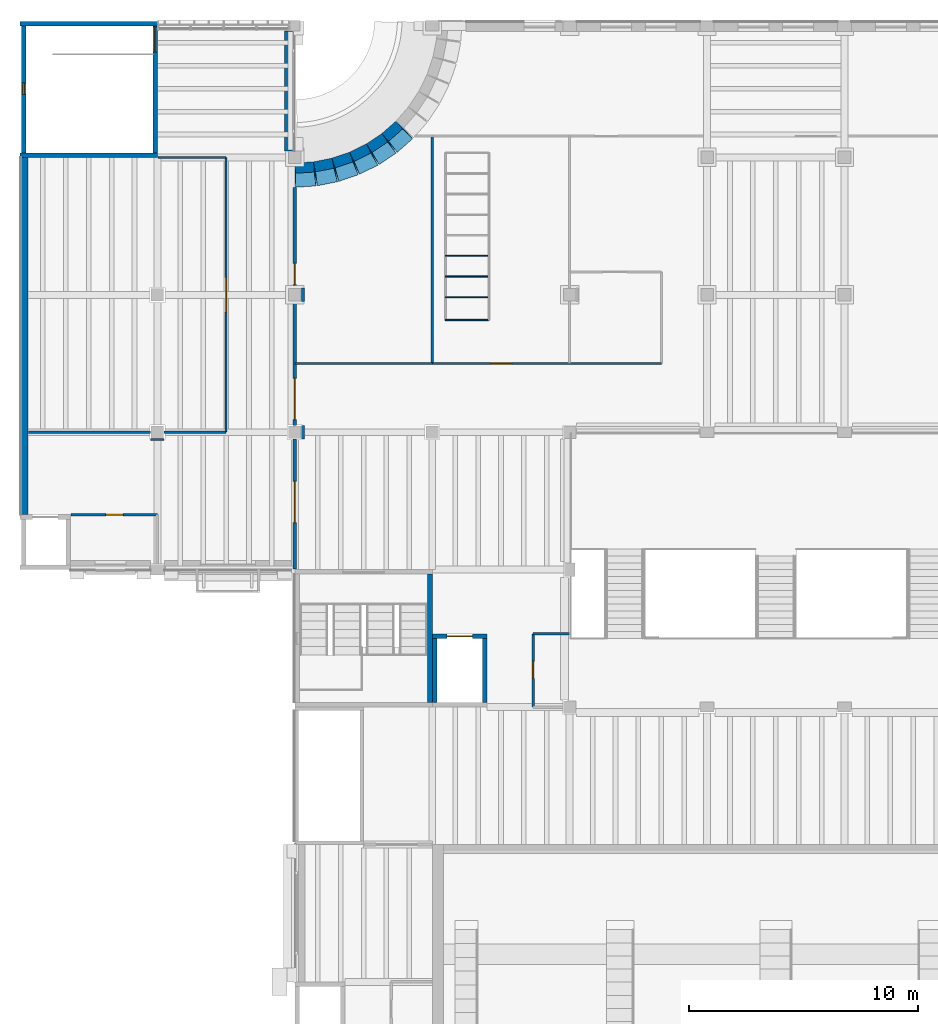
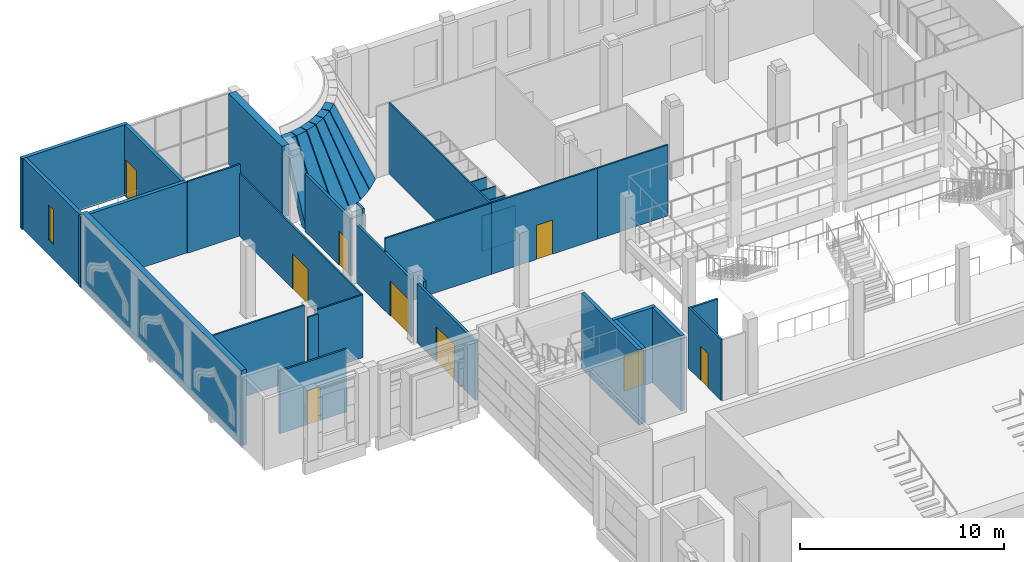
# One storey, part 31 of 70: 37 walls, 9 doors, 1 window, 10 openings.
"""IFC4 building model written with IfcOpenShell, lengths in metres."""

from ifc_helpers import new_model, si_unit, direction, frame, frame_2d, origin, place, context, subcontext, project, spatial, polyline, rectangle, outline, extrude, material, layer, layer_set, type_object, element, fill, save


model = new_model("IFC4")

# Units and contexts
model_context = context("Model", 3, precision=1e-05, world=origin(), true_north=direction((0.0, 1.0)))
body_context = subcontext(model_context, "Body", "Model", "MODEL_VIEW")
ifc_project = project(units=[si_unit("LENGTHUNIT", "METRE"), si_unit("AREAUNIT", "SQUARE_METRE"), si_unit("VOLUMEUNIT", "CUBIC_METRE"), si_unit("PLANEANGLEUNIT", "RADIAN"), si_unit("MASSUNIT", "GRAM", prefix="KILO")], contexts=[model_context])

# Site, building, storey
site_placement = place(None, origin())
site = spatial("IfcSite", under=ifc_project, at=site_placement, CompositionType="ELEMENT")
building_placement = place(site_placement, origin())
building = spatial("IfcBuilding", under=site, at=building_placement, Name="Saffron Lane Theatres", CompositionType="ELEMENT")
storey_placement = place(building_placement, frame((0.0, 0.0, 12.0)))
storey = spatial("IfcBuildingStorey", under=building, at=storey_placement, Name="L02", CompositionType="ELEMENT", Elevation=12.0)

# Walls
ifc_material_1 = material(Name="Masonry pale clay brick", Category="masonry")
ifc_layer_1 = layer(ifc_material_1, 0.11, Name="facing leaf")
ifc_material_2 = material(Name="Air cavity", Category="air")
ifc_layer_2 = layer(ifc_material_2, 0.05, ventilated=True, Name="cavity")
ifc_material_3 = material(Name="Mineral wool insulation")
ifc_layer_3 = layer(ifc_material_3, 0.06, Name="insulation")
ifc_material_4 = material(Name="Concrete N40 (40 MPa)", Category="concrete")
ifc_layer_4 = layer(ifc_material_4, 0.18, Name="inner leaf")
ifc_layer_set_1 = layer_set([ifc_layer_1, ifc_layer_2, ifc_layer_3, ifc_layer_4], Name="Masonry pale clay brick")
wall_type_1 = type_object("IfcWallType", Name="EX-WALL BRICK 400", PredefinedType="SOLIDWALL", material=ifc_layer_set_1)
wall_1_placement = place(storey_placement, frame((11.75, 125.5244140625, 0.0), z_axis=(0.0, 0.0, 1.0), x_axis=(0.0, -1.0, 0.0)))
element("IfcWall", 1, at=wall_1_placement, inside=storey, type_object=wall_type_1, Name="External wall L02 09", PredefinedType="SOLIDWALL", context=body_context, shape_type="SweptSolid", body=[
    extrude(rectangle(XDim=5.24951171875, YDim=0.39990234375, at=frame_2d((2.624755859375, 0.0))), origin(), (0.0, 0.0, 1.0), 4.25),
])
ifc_material_5 = material(Name="Masonry block partition", Category="masonry")
ifc_layer_5 = layer(ifc_material_5, 0.110107421875)
ifc_layer_set_2 = layer_set([ifc_layer_5], Name="Masonry block partition")
wall_type_2 = type_object("IfcWallType", Name="IN-BLOCK PARTITION 110", PredefinedType="PARTITIONING", material=ifc_layer_set_2)
wall_2_placement = place(storey_placement, frame((22.39990234375, 99.199951171875, 0.0), z_axis=(0.0, 0.0, 1.0), x_axis=(1.0, 0.0, 0.0)))
element("IfcWall", 2, at=wall_2_placement, inside=storey, type_object=wall_type_2, Name="PW-L02-006", PredefinedType="PARTITIONING", context=body_context, shape_type="SweptSolid", body=[
    extrude(rectangle(XDim=1.60009765625, YDim=0.110107421875, at=frame_2d((0.800048828125, 0.0))), origin(), (0.0, 0.0, 1.0), 3.60009765625),
])

# Wall, opening, door
wall_3_placement = place(storey_placement, frame((22.39990234375, 96.0, 0.0), z_axis=(0.0, 0.0, 1.0), x_axis=(0.0, 1.0, 0.0)))
wall_3 = element("IfcWall", 3, at=wall_3_placement, inside=storey, type_object=wall_type_2, Name="PW-L02-007", PredefinedType="PARTITIONING", context=body_context, shape_type="SweptSolid", body=[
    extrude(rectangle(XDim=3.199951171875, YDim=0.110107421875, at=frame_2d((1.60009765625, 0.0))), origin(), (0.0, 0.0, 1.0), 3.64990234375),
])
opening_1_placement = place(wall_3_placement, frame((1.25, 0.0, 0.0)))
opening_1 = element("IfcOpeningElement", 4, at=opening_1_placement, cuts=wall_3, Name="Opening D02-33", PredefinedType="OPENING", context=body_context, shape_type="SweptSolid", body=[
    extrude(rectangle(XDim=0.75, YDim=2.0400390625, at=frame_2d((0.375, 1.02001953125))), frame((0.0, 0.06494140625, 0.0), z_axis=(0.0, -1.0, 0.0), x_axis=(1.0, 0.0, 0.0)), (0.0, 0.0, 1.0), 0.130126953125),
])
ifc_material_6 = material(Name="Steel faced fire door leaf", Category="steel")
door_type_1 = type_object("IfcDoorType", Name="IN-DOOR 750x2040 FD60", OperationType="NOTDEFINED", PredefinedType="DOOR", material=ifc_material_6)
door_1_placement = place(opening_1_placement, frame((0.75, 0.0, 0.0), z_axis=(0.0, 0.0, 1.0), x_axis=(-1.0, 0.0, 0.0)))
door_1 = element("IfcDoor", 5, at=door_1_placement, inside=storey, type_object=door_type_1, Name="D02-33", OperationType="SINGLE_SWING_RIGHT", OverallHeight=2.0400390625, OverallWidth=0.75, PredefinedType="DOOR", context=body_context, shape_type="SweptSolid", body=[
    extrude(rectangle(XDim=0.75, YDim=2.0400390625, at=frame_2d((0.375, 1.02001953125))), frame((0.0, 0.02490234375, 0.0), z_axis=(0.0, -1.0, 0.0), x_axis=(1.0, 0.0, 0.0)), (0.0, 0.0, 1.0), 0.050048828125),
])
fill(opening_1, door_1)

wall_4_placement = place(storey_placement, frame((2.219970703125, 104.39990234375, 0.0), z_axis=(0.0, 0.0, 1.0), x_axis=(1.0, 0.0, 0.0)))
wall_4 = element("IfcWall", 6, at=wall_4_placement, inside=storey, type_object=wall_type_2, Name="PW-L02-017", PredefinedType="PARTITIONING", context=body_context, shape_type="SweptSolid", body=[
    extrude(rectangle(XDim=3.780029296875, YDim=0.110107421875, at=frame_2d((1.89013671875, 0.0))), origin(), (0.0, 0.0, 1.0), 3.75),
])
opening_2_placement = place(wall_4_placement, frame((1.530029296875, 0.0, 0.0)))
opening_2 = element("IfcOpeningElement", 7, at=opening_2_placement, cuts=wall_4, Name="Opening D02-39", PredefinedType="OPENING", context=body_context, shape_type="SweptSolid", body=[
    extrude(rectangle(XDim=0.75, YDim=2.0400390625, at=frame_2d((0.375, 1.02001953125))), frame((0.0, 0.06494140625, 0.0), z_axis=(0.0, -1.0, 0.0), x_axis=(1.0, 0.0, 0.0)), (0.0, 0.0, 1.0), 0.130126953125),
])
door_2_placement = place(opening_2_placement, frame((0.75, 0.0, 0.0), z_axis=(0.0, 0.0, 1.0), x_axis=(-1.0, 0.0, 0.0)))
door_2 = element("IfcDoor", 8, at=door_2_placement, inside=storey, type_object=door_type_1, Name="D02-39", OperationType="SINGLE_SWING_RIGHT", OverallHeight=2.0400390625, OverallWidth=0.75, PredefinedType="DOOR", context=body_context, shape_type="SweptSolid", body=[
    extrude(rectangle(XDim=0.75, YDim=2.0400390625, at=frame_2d((0.375, 1.02001953125))), frame((0.0, 0.02490234375, 0.0), z_axis=(0.0, -1.0, 0.0), x_axis=(1.0, 0.0, 0.0)), (0.0, 0.0, 1.0), 0.050048828125),
])
fill(opening_2, door_2)

ifc_material_7 = material(Name="Masonry block partition", Category="masonry")
ifc_layer_6 = layer(ifc_material_7, 0.139892578125)
ifc_layer_set_3 = layer_set([ifc_layer_6], Name="Masonry block partition")
wall_type_3 = type_object("IfcWallType", Name="IN-BLOCK PARTITION 140", PredefinedType="PARTITIONING", material=ifc_layer_set_3)
wall_5_placement = place(storey_placement, frame((12.0, 114.294921875, 0.0), z_axis=(0.0, 0.0, 1.0), x_axis=(0.0, 1.0, 0.0)))
wall_5 = element("IfcWall", 9, at=wall_5_placement, inside=storey, type_object=wall_type_3, Name="PW-L02-037", PredefinedType="PARTITIONING", context=body_context, shape_type="SweptSolid", body=[
    extrude(rectangle(XDim=4.398193359375, YDim=0.139892578125, at=frame_2d((2.19921875, 0.0))), origin(), (0.0, 0.0, 1.0), 3.449951171875),
])
opening_3_placement = place(wall_5_placement, frame((0.155029296875, 0.0, 0.0)))
opening_3 = element("IfcOpeningElement", 10, at=opening_3_placement, cuts=wall_5, Name="Opening D02-03", PredefinedType="OPENING", context=body_context, shape_type="SweptSolid", body=[
    extrude(rectangle(XDim=0.919921875, YDim=2.0400390625, at=frame_2d((0.4599609375, 1.02001953125))), frame((0.0, 0.080078125, 0.0), z_axis=(0.0, -1.0, 0.0), x_axis=(1.0, 0.0, 0.0)), (0.0, 0.0, 1.0), 0.159912109375),
])
ifc_material_8 = material(Name="Steel faced fire door leaf", Category="steel")
door_type_2 = type_object("IfcDoorType", Name="IN-DOOR 920x2040 FD120", OperationType="NOTDEFINED", PredefinedType="DOOR", material=ifc_material_8)
door_3_placement = place(opening_3_placement, frame((0.919921875, 0.0, 0.0), z_axis=(0.0, 0.0, 1.0), x_axis=(-1.0, 0.0, 0.0)))
door_3 = element("IfcDoor", 11, at=door_3_placement, inside=storey, type_object=door_type_2, Name="D02-03", OperationType="SINGLE_SWING_RIGHT", OverallHeight=2.0400390625, OverallWidth=0.919921875, PredefinedType="DOOR", context=body_context, shape_type="SweptSolid", body=[
    extrude(rectangle(XDim=0.919921875, YDim=2.0400390625, at=frame_2d((0.4599609375, 1.02001953125))), frame((0.0, 0.02490234375, 0.0), z_axis=(0.0, -1.0, 0.0), x_axis=(1.0, 0.0, 0.0)), (0.0, 0.0, 1.0), 0.050048828125),
])
fill(opening_3, door_3)

wall_6_placement = place(storey_placement, frame((12.0, 108.294921875, 0.0), z_axis=(0.0, 0.0, 1.0), x_axis=(0.0, 1.0, 0.0)))
wall_6 = element("IfcWall", 12, at=wall_6_placement, inside=storey, type_object=wall_type_3, Name="PW-L02-038", PredefinedType="PARTITIONING", context=body_context, shape_type="SweptSolid", body=[
    extrude(rectangle(XDim=5.41015625, YDim=0.139892578125, at=frame_2d((2.705078125, 0.0))), origin(), (0.0, 0.0, 1.0), 3.449951171875),
])
opening_4_placement = place(wall_6_placement, frame((0.2548828125, 0.0, 0.0)))
opening_4 = element("IfcOpeningElement", 13, at=opening_4_placement, cuts=wall_6, Name="Opening D02-45", PredefinedType="OPENING", context=body_context, shape_type="SweptSolid", body=[
    extrude(rectangle(XDim=1.800048828125, YDim=2.10009765625, at=frame_2d((0.89990234375, 1.050048828125))), frame((0.0, 0.080078125, 0.0), z_axis=(0.0, -1.0, 0.0), x_axis=(1.0, 0.0, 0.0)), (0.0, 0.0, 1.0), 0.159912109375),
])
ifc_material_9 = material(Name="Steel faced fire door leaf", Category="steel")
door_type_3 = type_object("IfcDoorType", Name="IN-DOOR 1800x2100 FD120", OperationType="DOUBLE_DOOR_SINGLE_SWING", PredefinedType="DOOR", material=ifc_material_9)
door_4_placement = place(opening_4_placement, frame((1.800048828125, 0.0, 0.0), z_axis=(0.0, 0.0, 1.0), x_axis=(-1.0, 0.0, 0.0)))
door_4 = element("IfcDoor", 14, at=door_4_placement, inside=storey, type_object=door_type_3, Name="D02-45", OperationType="DOUBLE_DOOR_SINGLE_SWING", OverallHeight=2.10009765625, OverallWidth=1.800048828125, PredefinedType="DOOR", context=body_context, shape_type="SweptSolid", body=[
    extrude(rectangle(XDim=1.800048828125, YDim=2.10009765625, at=frame_2d((0.89990234375, 1.050048828125))), frame((0.0, 0.02490234375, 0.0), z_axis=(0.0, -1.0, 0.0), x_axis=(1.0, 0.0, 0.0)), (0.0, 0.0, 1.0), 0.050048828125),
])
fill(opening_4, door_4)

wall_7_placement = place(storey_placement, frame((12.0, 102.02001953125, 0.0), z_axis=(0.0, 0.0, 1.0), x_axis=(0.0, 1.0, 0.0)))
wall_7 = element("IfcWall", 15, at=wall_7_placement, inside=storey, type_object=wall_type_3, Name="PW-L02-039", PredefinedType="PARTITIONING", context=body_context, shape_type="SweptSolid", body=[
    extrude(rectangle(XDim=5.68505859375, YDim=0.139892578125, at=frame_2d((2.842529296875, 0.0))), origin(), (0.0, 0.0, 1.0), 3.550048828125),
])
opening_5_placement = place(wall_7_placement, frame((2.030029296875, 0.0, 0.0)))
opening_5 = element("IfcOpeningElement", 16, at=opening_5_placement, cuts=wall_7, Name="Opening D02-44", PredefinedType="OPENING", context=body_context, shape_type="SweptSolid", body=[
    extrude(rectangle(XDim=1.800048828125, YDim=2.10009765625, at=frame_2d((0.89990234375, 1.050048828125))), frame((0.0, 0.080078125, 0.0), z_axis=(0.0, -1.0, 0.0), x_axis=(1.0, 0.0, 0.0)), (0.0, 0.0, 1.0), 0.159912109375),
])
door_5_placement = place(opening_5_placement, frame((1.800048828125, 0.0, 0.0), z_axis=(0.0, 0.0, 1.0), x_axis=(-1.0, 0.0, 0.0)))
door_5 = element("IfcDoor", 17, at=door_5_placement, inside=storey, type_object=door_type_3, Name="D02-44", OperationType="DOUBLE_DOOR_SINGLE_SWING", OverallHeight=2.10009765625, OverallWidth=1.800048828125, PredefinedType="DOOR", context=body_context, shape_type="SweptSolid", body=[
    extrude(rectangle(XDim=1.800048828125, YDim=2.10009765625, at=frame_2d((0.89990234375, 1.050048828125))), frame((0.0, 0.02490234375, 0.0), z_axis=(0.0, -1.0, 0.0), x_axis=(1.0, 0.0, 0.0)), (0.0, 0.0, 1.0), 0.050048828125),
])
fill(opening_5, door_5)

# Walls
wall_8_placement = place(storey_placement, frame((12.35009765625, 113.705078125, 0.0), z_axis=(0.0, 0.0, 1.0), x_axis=(0.0, 1.0, 0.0)))
element("IfcWall", 18, at=wall_8_placement, inside=storey, type_object=wall_type_3, Name="PW-L02-040", PredefinedType="PARTITIONING", context=body_context, shape_type="SweptSolid", body=[
    extrude(rectangle(XDim=0.58984375, YDim=0.139892578125, at=frame_2d((0.294921875, 0.0))), origin(), (0.0, 0.0, 1.0), 4.25),
])
wall_9_placement = place(storey_placement, frame((12.35009765625, 107.705078125, 0.0), z_axis=(0.0, 0.0, 1.0), x_axis=(0.0, 1.0, 0.0)))
element("IfcWall", 19, at=wall_9_placement, inside=storey, type_object=wall_type_3, Name="PW-L02-041", PredefinedType="PARTITIONING", context=body_context, shape_type="SweptSolid", body=[
    extrude(rectangle(XDim=0.58984375, YDim=0.139892578125, at=frame_2d((0.294921875, 0.0))), origin(), (0.0, 0.0, 1.0), 3.550048828125),
])
ifc_material_10 = material(Name="Laminate cubicle panel")
ifc_layer_7 = layer(ifc_material_10, 0.050048828125)
ifc_layer_set_4 = layer_set([ifc_layer_7], Name="Laminate cubicle panel")
wall_type_4 = type_object("IfcWallType", Name="IN-CUBICLE PANEL 050", PredefinedType="PARTITIONING", material=ifc_layer_set_4)
for number, where, z_axis, x_axis, name in (
    (20, (18.574951171875, 112.89990234375, 0.0), (0.0, 0.0, 1.0), (1.0, 0.0, 0.0), "PW-L02-106"),
    (21, (18.574951171875, 113.89990234375, 0.0), (0.0, 0.0, 1.0), (1.0, 0.0, 0.0), "PW-L02-107"),
    (22, (18.574951171875, 114.800048828125, 0.0), (0.0, 0.0, 1.0), (1.0, 0.0, 0.0), "PW-L02-108"),
    (23, (18.574951171875, 115.699951171875, 0.0), (0.0, 0.0, 1.0), (1.0, 0.0, 0.0), "PW-L02-109"),
):
    element("IfcWall", number, at=place(storey_placement, frame(where, z_axis=z_axis, x_axis=x_axis)), inside=storey, type_object=wall_type_4, Name=name, PredefinedType="PARTITIONING", context=body_context, shape_type="SweptSolid", body=[
        extrude(rectangle(XDim=1.900146484375, YDim=0.050048828125, at=frame_2d((0.9501953125, 0.0))), origin(), (0.0, 0.0, 1.0), 2.10009765625),
    ])
ifc_material_11 = material(Name="Plasterboard on 90 mm steel studs", Category="steel")
ifc_layer_8 = layer(ifc_material_11, 0.090087890625)
ifc_layer_set_5 = layer_set([ifc_layer_8], Name="Plasterboard on 90 mm steel studs")
wall_type_5 = type_object("IfcWallType", Name="IN-STUD PARTITION 090", PredefinedType="PARTITIONING", material=ifc_layer_set_5)
wall_10_placement = place(storey_placement, frame((12.0, 111.0, 0.0), z_axis=(0.0, 0.0, 1.0), x_axis=(1.0, 0.0, 0.0)))
element("IfcWall", 24, at=wall_10_placement, inside=storey, type_object=wall_type_5, Name="PW-L02-055", PredefinedType="PARTITIONING", context=body_context, shape_type="SweptSolid", body=[
    extrude(rectangle(XDim=6.0, YDim=0.090087890625, at=frame_2d((3.0, 0.0))), origin(), (0.0, 0.0, 1.0), 4.25),
])

# Wall, opening, door
wall_11_placement = place(storey_placement, frame((18.0, 111.0, 0.0), z_axis=(0.0, 0.0, 1.0), x_axis=(1.0, 0.0, 0.0)))
wall_11 = element("IfcWall", 25, at=wall_11_placement, inside=storey, type_object=wall_type_5, Name="PW-L02-057", PredefinedType="PARTITIONING", context=body_context, shape_type="SweptSolid", body=[
    extrude(rectangle(XDim=6.0, YDim=0.090087890625, at=frame_2d((3.0, 0.0))), origin(), (0.0, 0.0, 1.0), 4.25),
])
opening_6_placement = place(wall_11_placement, frame((2.550048828125, 0.0, 0.0)))
opening_6 = element("IfcOpeningElement", 26, at=opening_6_placement, cuts=wall_11, Name="Opening D02-04", PredefinedType="OPENING", context=body_context, shape_type="SweptSolid", body=[
    extrude(rectangle(XDim=0.919921875, YDim=2.0400390625, at=frame_2d((0.4599609375, 1.02001953125))), frame((0.0, 0.05517578125, 0.0), z_axis=(0.0, -1.0, 0.0), x_axis=(1.0, 0.0, 0.0)), (0.0, 0.0, 1.0), 0.110107421875),
])
ifc_material_12 = material(Name="Timber door leaf", Category="wood")
door_type_4 = type_object("IfcDoorType", Name="IN-DOOR 920x2040", OperationType="NOTDEFINED", PredefinedType="DOOR", material=ifc_material_12)
door_6_placement = place(opening_6_placement, origin())
door_6 = element("IfcDoor", 27, at=door_6_placement, inside=storey, type_object=door_type_4, Name="D02-04", OperationType="SINGLE_SWING_LEFT", OverallHeight=2.0400390625, OverallWidth=0.919921875, PredefinedType="DOOR", context=body_context, shape_type="SweptSolid", body=[
    extrude(rectangle(XDim=0.919921875, YDim=2.0400390625, at=frame_2d((0.4599609375, 1.02001953125))), frame((0.0, 0.02490234375, 0.0), z_axis=(0.0, -1.0, 0.0), x_axis=(1.0, 0.0, 0.0)), (0.0, 0.0, 1.0), 0.050048828125),
])
fill(opening_6, door_6)

# Walls
wall_12_placement = place(storey_placement, frame((18.0, 111.0, 0.0), z_axis=(0.0, 0.0, 1.0), x_axis=(0.0, 1.0, 0.0)))
element("IfcWall", 28, at=wall_12_placement, inside=storey, type_object=wall_type_5, Name="PW-L02-058", PredefinedType="PARTITIONING", context=body_context, shape_type="SweptSolid", body=[
    extrude(rectangle(XDim=9.929931640625, YDim=0.090087890625, at=frame_2d((4.96484375, 0.0))), origin(), (0.0, 0.0, 1.0), 4.25),
])
wall_13_placement = place(storey_placement, frame((24.0, 111.0, 0.0), z_axis=(0.0, 0.0, 1.0), x_axis=(1.0, 0.0, 0.0)))
element("IfcWall", 29, at=wall_13_placement, inside=storey, type_object=wall_type_5, Name="PW-L02-062", PredefinedType="PARTITIONING", context=body_context, shape_type="SweptSolid", body=[
    extrude(rectangle(XDim=4.0, YDim=0.090087890625, at=frame_2d((2.0, 0.0))), origin(), (0.0, 0.0, 1.0), 4.25),
])
wall_14_placement = place(storey_placement, frame((0.3798828125, 108.0, 0.0), z_axis=(0.0, 0.0, 1.0), x_axis=(1.0, 0.0, 0.0)))
element("IfcWall", 30, at=wall_14_placement, inside=storey, type_object=wall_type_5, Name="PW-L02-076", PredefinedType="PARTITIONING", context=body_context, shape_type="SweptSolid", body=[
    extrude(rectangle(XDim=5.3251953125, YDim=0.090087890625, at=frame_2d((2.66259765625, 0.0))), origin(), (0.0, 0.0, 1.0), 4.280029296875),
])
wall_15_placement = place(storey_placement, frame((6.294921875, 108.0, 0.0), z_axis=(0.0, 0.0, 1.0), x_axis=(1.0, 0.0, 0.0)))
element("IfcWall", 31, at=wall_15_placement, inside=storey, type_object=wall_type_5, Name="PW-L02-077", PredefinedType="PARTITIONING", context=body_context, shape_type="SweptSolid", body=[
    extrude(rectangle(XDim=2.705078125, YDim=0.090087890625, at=frame_2d((1.3525390625, 0.0))), origin(), (0.0, 0.0, 1.0), 3.75),
])
wall_16_placement = place(storey_placement, frame((5.705078125, 107.675048828125, 0.0), z_axis=(0.0, 0.0, 1.0), x_axis=(1.0, 0.0, 0.0)))
element("IfcWall", 32, at=wall_16_placement, inside=storey, type_object=wall_type_5, Name="PW-L02-078", PredefinedType="PARTITIONING", context=body_context, shape_type="SweptSolid", body=[
    extrude(rectangle(XDim=0.58984375, YDim=0.090087890625, at=frame_2d((0.294921875, 0.0))), origin(), (0.0, 0.0, 1.0), 3.75),
])

# Wall, opening, door
wall_17_placement = place(storey_placement, frame((9.0, 108.0, 0.0), z_axis=(0.0, 0.0, 1.0), x_axis=(0.0, 1.0, 0.0)))
wall_17 = element("IfcWall", 33, at=wall_17_placement, inside=storey, type_object=wall_type_5, Name="PW-L02-079", PredefinedType="PARTITIONING", context=body_context, shape_type="SweptSolid", body=[
    extrude(rectangle(XDim=12.0, YDim=0.090087890625, at=frame_2d((6.0, 0.0))), origin(), (0.0, 0.0, 1.0), 3.75),
])
opening_7_placement = place(wall_17_placement, frame((5.25, 0.0, 0.0)))
opening_7 = element("IfcOpeningElement", 34, at=opening_7_placement, cuts=wall_17, Name="Opening D02-01", PredefinedType="OPENING", context=body_context, shape_type="SweptSolid", body=[
    extrude(rectangle(XDim=1.5, YDim=2.10009765625, at=frame_2d((0.75, 1.050048828125))), frame((0.0, 0.05517578125, 0.0), z_axis=(0.0, -1.0, 0.0), x_axis=(1.0, 0.0, 0.0)), (0.0, 0.0, 1.0), 0.110107421875),
])
ifc_material_13 = material(Name="Timber door leaf", Category="wood")
door_type_5 = type_object("IfcDoorType", Name="IN-DOOR 1500x2100", OperationType="DOUBLE_DOOR_SINGLE_SWING", PredefinedType="DOOR", material=ifc_material_13)
door_7_placement = place(opening_7_placement, frame((1.5, 0.0, 0.0), z_axis=(0.0, 0.0, 1.0), x_axis=(-1.0, 0.0, 0.0)))
door_7 = element("IfcDoor", 35, at=door_7_placement, inside=storey, type_object=door_type_5, Name="D02-01", OperationType="DOUBLE_DOOR_SINGLE_SWING", OverallHeight=2.10009765625, OverallWidth=1.5, PredefinedType="DOOR", context=body_context, shape_type="SweptSolid", body=[
    extrude(rectangle(XDim=1.5, YDim=2.10009765625, at=frame_2d((0.75, 1.050048828125))), frame((0.0, 0.02490234375, 0.0), z_axis=(0.0, -1.0, 0.0), x_axis=(1.0, 0.0, 0.0)), (0.0, 0.0, 1.0), 0.050048828125),
])
fill(opening_7, door_7)

# Walls
wall_18_placement = place(storey_placement, frame((6.02001953125, 120.0, 0.0), z_axis=(0.0, 0.0, 1.0), x_axis=(1.0, 0.0, 0.0)))
element("IfcWall", 36, at=wall_18_placement, inside=storey, type_object=wall_type_5, Name="PW-L02-080", PredefinedType="PARTITIONING", context=body_context, shape_type="SweptSolid", body=[
    extrude(rectangle(XDim=2.97998046875, YDim=0.090087890625, at=frame_2d((1.489990234375, 0.0))), origin(), (0.0, 0.0, 1.0), 4.280029296875),
])
ifc_material_14 = material(Name="Concrete N50 (50 MPa)", Category="concrete")
ifc_layer_9 = layer(ifc_material_14, 0.199951171875)
ifc_layer_set_6 = layer_set([ifc_layer_9], Name="Concrete N50 (50 MPa)")
wall_type_6 = type_object("IfcWallType", Name="RC-CORE 200", PredefinedType="SHEAR", material=ifc_layer_set_6)
wall_19_placement = place(storey_placement, frame((17.89990234375, 96.199951171875, 0.0), z_axis=(0.0, 0.0, 1.0), x_axis=(0.0, 1.0, 0.0)))
element("IfcWall", 37, at=wall_19_placement, inside=storey, type_object=wall_type_6, Name="W-ST1-E-L02", PredefinedType="SHEAR", context=body_context, shape_type="SweptSolid", body=[
    extrude(rectangle(XDim=5.60009765625, YDim=0.199951171875, at=frame_2d((2.800048828125, 0.0))), origin(), (0.0, 0.0, 1.0), 4.5),
])
wall_20_placement = place(storey_placement, frame((0.0, 120.10009765625, 0.0), z_axis=(0.0, 0.0, 1.0), x_axis=(1.0, 0.0, 0.0)))
element("IfcWall", 38, at=wall_20_placement, inside=storey, type_object=wall_type_6, Name="W-ST14-S-L02", PredefinedType="SHEAR", context=body_context, shape_type="SweptSolid", body=[
    extrude(rectangle(XDim=6.0, YDim=0.199951171875, at=frame_2d((3.0, 0.0))), origin(), (0.0, 0.0, 1.0), 4.25),
])

# Wall, opening, door
wall_21_placement = place(storey_placement, frame((5.89990234375, 120.199951171875, 0.0), z_axis=(0.0, 0.0, 1.0), x_axis=(0.0, 1.0, 0.0)))
wall_21 = element("IfcWall", 39, at=wall_21_placement, inside=storey, type_object=wall_type_6, Name="W-ST14-E-L02", PredefinedType="SHEAR", context=body_context, shape_type="SweptSolid", body=[
    extrude(rectangle(XDim=5.60009765625, YDim=0.199951171875, at=frame_2d((2.800048828125, 0.0))), origin(), (0.0, 0.0, 1.0), 4.25),
])
opening_8_placement = place(wall_21_placement, frame((4.39990234375, 0.0, 0.0)))
opening_8 = element("IfcOpeningElement", 40, at=opening_8_placement, cuts=wall_21, Name="Opening D02-31", PredefinedType="OPENING", context=body_context, shape_type="SweptSolid", body=[
    extrude(rectangle(XDim=1.10009765625, YDim=2.199951171875, at=frame_2d((0.550048828125, 1.10009765625))), frame((0.0, 0.10986328125, 0.0), z_axis=(0.0, -1.0, 0.0), x_axis=(1.0, 0.0, 0.0)), (0.0, 0.0, 1.0), 0.219970703125),
])
ifc_material_15 = material(Name="Steel faced fire door leaf", Category="steel")
door_type_6 = type_object("IfcDoorType", Name="IN-DOOR 1100x2200 FD120", OperationType="NOTDEFINED", PredefinedType="DOOR", material=ifc_material_15)
door_8_placement = place(opening_8_placement, origin())
door_8 = element("IfcDoor", 41, at=door_8_placement, inside=storey, type_object=door_type_6, Name="D02-31", OperationType="SINGLE_SWING_LEFT", OverallHeight=2.199951171875, OverallWidth=1.10009765625, PredefinedType="DOOR", context=body_context, shape_type="SweptSolid", body=[
    extrude(rectangle(XDim=1.10009765625, YDim=2.199951171875, at=frame_2d((0.550048828125, 1.10009765625))), frame((0.0, 0.02490234375, 0.0), z_axis=(0.0, -1.0, 0.0), x_axis=(1.0, 0.0, 0.0)), (0.0, 0.0, 1.0), 0.050048828125),
])
fill(opening_8, door_8)

wall_22_placement = place(storey_placement, frame((18.0, 99.10009765625, 0.0), z_axis=(0.0, 0.0, 1.0), x_axis=(1.0, 0.0, 0.0)))
wall_22 = element("IfcWall", 42, at=wall_22_placement, inside=storey, type_object=wall_type_6, Name="W-LC1-N-L02", PredefinedType="SHEAR", context=body_context, shape_type="SweptSolid", body=[
    extrude(rectangle(XDim=2.39990234375, YDim=0.199951171875, at=frame_2d((1.199951171875, 0.0))), origin(), (0.0, 0.0, 1.0), 4.5),
])
opening_9_placement = place(wall_22_placement, frame((0.64990234375, 0.0, 0.0)))
opening_9 = element("IfcOpeningElement", 43, at=opening_9_placement, cuts=wall_22, Name="Opening LD3", PredefinedType="OPENING", context=body_context, shape_type="SweptSolid", body=[
    extrude(rectangle(XDim=1.10009765625, YDim=2.10009765625, at=frame_2d((0.550048828125, 1.050048828125))), frame((0.0, 0.10986328125, 0.0), z_axis=(0.0, -1.0, 0.0), x_axis=(1.0, 0.0, 0.0)), (0.0, 0.0, 1.0), 0.219970703125),
])
ifc_material_16 = material(Name="Stainless steel 316", Category="steel")
door_type_7 = type_object("IfcDoorType", Name="VC-LANDING DOOR 1100x2100", OperationType="DOUBLE_DOOR_SLIDING", PredefinedType="DOOR", material=ifc_material_16)
door_9_placement = place(opening_9_placement, origin())
door_9 = element("IfcDoor", 44, at=door_9_placement, inside=storey, type_object=door_type_7, Name="Landing doors LC1 L02", OperationType="DOUBLE_DOOR_SLIDING", OverallHeight=2.10009765625, OverallWidth=1.10009765625, PredefinedType="DOOR", context=body_context, shape_type="SweptSolid", body=[
    extrude(rectangle(XDim=1.10009765625, YDim=2.10009765625, at=frame_2d((0.550048828125, 1.050048828125))), frame((0.0, 0.02490234375, 0.0), z_axis=(0.0, -1.0, 0.0), x_axis=(1.0, 0.0, 0.0)), (0.0, 0.0, 1.0), 0.050048828125),
])
fill(opening_9, door_9)

# Walls
for number, where, z_axis, x_axis, name in (
    (45, (18.10009765625, 96.199951171875, 0.0), (0.0, 0.0, 1.0), (0.0, 1.0, 0.0), "W-LC1-W-L02"),
    (46, (20.300048828125, 96.199951171875, 0.0), (0.0, 0.0, 1.0), (0.0, 1.0, 0.0), "W-LC1-E-L02"),
):
    element("IfcWall", number, at=place(storey_placement, frame(where, z_axis=z_axis, x_axis=x_axis)), inside=storey, type_object=wall_type_6, Name=name, PredefinedType="SHEAR", context=body_context, shape_type="SweptSolid", body=[
        extrude(rectangle(XDim=2.800048828125, YDim=0.199951171875, at=frame_2d((1.39990234375, 0.0))), origin(), (0.0, 0.0, 1.0), 4.5),
    ])
ifc_material_17 = material(Name="Concrete N50 (50 MPa)", Category="concrete")
ifc_layer_10 = layer(ifc_material_17, 0.199951171875)
ifc_layer_set_7 = layer_set([ifc_layer_10], Name="Concrete N50 (50 MPa)")
wall_type_7 = type_object("IfcWallType", Name="RC-CORE EXTERNAL 200", PredefinedType="SHEAR", material=ifc_layer_set_7)
wall_23_placement = place(storey_placement, frame((0.0, 125.840087890625, 0.0), z_axis=(0.0, 0.0, 1.0), x_axis=(1.0, 0.0, 0.0)))
element("IfcWall", 47, at=wall_23_placement, inside=storey, type_object=wall_type_7, Name="W-ST14-N-L02", PredefinedType="SHEAR", context=body_context, shape_type="SweptSolid", body=[
    extrude(rectangle(XDim=6.0, YDim=0.199951171875, at=frame_2d((3.0, 0.0))), origin(), (0.0, 0.0, 1.0), 4.25),
])

# Wall, opening, window
wall_24_placement = place(storey_placement, frame((0.159912109375, 120.199951171875, 0.0), z_axis=(0.0, 0.0, 1.0), x_axis=(0.0, 1.0, 0.0)))
wall_24 = element("IfcWall", 48, at=wall_24_placement, inside=storey, type_object=wall_type_7, Name="W-ST14-W-L02", PredefinedType="SHEAR", context=body_context, shape_type="SweptSolid", body=[
    extrude(rectangle(XDim=5.60009765625, YDim=0.199951171875, at=frame_2d((2.800048828125, 0.0))), origin(), (0.0, 0.0, 1.0), 4.25),
])
opening_10_placement = place(wall_24_placement, frame((2.550048828125, 0.0, 0.89990234375)))
opening_10 = element("IfcOpeningElement", 49, at=opening_10_placement, cuts=wall_24, Name="Opening WN02-035", PredefinedType="OPENING", context=body_context, shape_type="SweptSolid", body=[
    extrude(rectangle(XDim=0.5, YDim=2.10009765625, at=frame_2d((0.25, 1.050048828125))), frame((0.0, 0.10986328125, 0.0), z_axis=(0.0, -1.0, 0.0), x_axis=(1.0, 0.0, 0.0)), (0.0, 0.0, 1.0), 0.219970703125),
])
ifc_material_18 = material(Name="Aluminium", Category="aluminium")
window_type = type_object("IfcWindowType", Name="EX-WINDOW 500x2100", PartitioningType="SINGLE_PANEL", PredefinedType="WINDOW", material=ifc_material_18)
window_placement = place(opening_10_placement, origin())
window = element("IfcWindow", 50, at=window_placement, inside=storey, type_object=window_type, Name="Stair light ST14 L02", OverallHeight=2.10009765625, OverallWidth=0.5, PartitioningType="SINGLE_PANEL", PredefinedType="WINDOW", context=body_context, shape_type="SweptSolid", body=[
    extrude(rectangle(XDim=0.5, YDim=2.10009765625, at=frame_2d((0.25, 1.050048828125))), frame((0.0, 0.030029296875, 0.0), z_axis=(0.0, -1.0, 0.0), x_axis=(1.0, 0.0, 0.0)), (0.0, 0.0, 1.0), 0.06005859375),
])
fill(opening_10, window)

# Walls
ifc_material_19 = material(Name="Concrete N50 (50 MPa)", Category="concrete")
ifc_layer_11 = layer(ifc_material_19, 0.300048828125)
ifc_layer_set_8 = layer_set([ifc_layer_11], Name="Concrete N50 (50 MPa)")
wall_type_8 = type_object("IfcWallType", Name="RC-PARTY 300", PredefinedType="SOLIDWALL", material=ifc_layer_set_8)
wall_25_placement = place(storey_placement, frame((0.2099609375, 104.39990234375, 0.0), z_axis=(0.0, 0.0, 1.0), x_axis=(0.0, 1.0, 0.0)))
element("IfcWall", 51, at=wall_25_placement, inside=storey, type_object=wall_type_8, Name="W-PARTY-W-104-L02", PredefinedType="SOLIDWALL", context=body_context, shape_type="SweptSolid", body=[
    extrude(rectangle(XDim=15.60009765625, YDim=0.300048828125, at=frame_2d((7.800048828125, 0.0))), origin(), (0.0, 0.0, 1.0), 4.5),
])
ifc_layer_12 = layer(ifc_material_1, 0.11, Name="facing")
ifc_material_20 = material(Name="Concrete N50 (50 MPa)", Category="concrete")
ifc_layer_13 = layer(ifc_material_20, 0.29, Name="structure")
ifc_layer_set_9 = layer_set([ifc_layer_12, ifc_layer_13], Name="Concrete N50 (50 MPa)")
wall_type_9 = type_object("IfcWallType", Name="RC-SCOOP 400", PredefinedType="SOLIDWALL", material=ifc_layer_set_9)
wall_26_placement = place(storey_placement, frame((16.848388671875, 121.15087890625, 0.0), z_axis=(0.58793091204, -0.670281410701, 0.452835591728), x_axis=(-0.75177274522, -0.659422276866, -1.779507e-05)))
element("IfcWall", 52, at=wall_26_placement, inside=storey, type_object=wall_type_9, Name="W-SCOOP-NW-L02-1-F7", PredefinedType="SOLIDWALL", context=body_context, shape_type="SweptSolid", body=[
    extrude(outline(polyline([(0.0, 0.0), (0.8966712168268893, 5.551115123125783e-17), (0.7582459385231609, -4.654490345682832), (0.13768210743342105, -4.654460063623249), (0.0, 0.0)])), origin(), (0.000101692142, 0.452835587845, 0.891594033201), 0.44873046875),
])
wall_27_placement = place(storey_placement, frame((16.17431640625, 120.5595703125, 0.0), z_axis=(0.495362670827, -0.741323001014, 0.452831130245), x_axis=(-0.831466073356, -0.55557552822, 3.6077311e-05)))
element("IfcWall", 53, at=wall_27_placement, inside=storey, type_object=wall_type_9, Name="W-SCOOP-NW-L02-1-F8", PredefinedType="SOLIDWALL", context=body_context, shape_type="SweptSolid", body=[
    extrude(outline(polyline([(0.0, 0.0), (0.8969869402340308, 0.0), (0.7590874329193833, -4.654432670324672), (0.13829946894263884, -4.654494085156078), (0.0, 0.0)])), origin(), (6.778073e-06, 0.452831130747, 0.891596302696), 0.44873046875),
])
wall_28_placement = place(storey_placement, frame((15.428466796875, 120.061279296875, 0.0), z_axis=(0.394311536262, -0.799667811809, 0.452824251921), x_axis=(-0.896885337172, -0.44226314716, -2.5104622e-05)))
element("IfcWall", 54, at=wall_28_placement, inside=storey, type_object=wall_type_9, Name="W-SCOOP-NW-L02-1-F9", PredefinedType="SOLIDWALL", context=body_context, shape_type="SweptSolid", body=[
    extrude(outline(polyline([(0.0, 0.0), (0.8969518554971424, 0.0), (0.7588051972362029, -4.654466512718161), (0.13819915569330918, -4.6544237831017465), (0.0, 0.0)])), origin(), (-2.8643299e-05, 0.452824252519, 0.891599795598), 0.44873046875),
])
wall_29_placement = place(storey_placement, frame((14.6240234375, 119.66455078125, 0.0), z_axis=(0.286590212598, -0.84427927495, 0.4528339165), x_axis=(-0.946930554063, -0.321438214512, -5.728117e-06)))
element("IfcWall", 55, at=wall_29_placement, inside=storey, type_object=wall_type_9, Name="W-SCOOP-NW-L02-1-F10", PredefinedType="SOLIDWALL", context=body_context, shape_type="SweptSolid", body=[
    extrude(outline(polyline([(0.0, 0.0), (0.8969701974913831, 0.0), (0.7587428989896885, -4.654475644136189), (0.13816749252324861, -4.654465894553028), (0.0, 0.0)])), origin(), (-9.21899e-07, 0.452833916512, 0.891594887858), 0.44873046875),
])
wall_30_placement = place(storey_placement, frame((13.774658203125, 119.376220703125, 0.0), z_axis=(0.173864175636, -0.874485160623, 0.452821104058), x_axis=(-0.980806494595, -0.194983637213, 3.7134606e-05)))
element("IfcWall", 56, at=wall_30_placement, inside=storey, type_object=wall_type_9, Name="W-SCOOP-NW-L02-1-F11", PredefinedType="SOLIDWALL", context=body_context, shape_type="SweptSolid", body=[
    extrude(outline(polyline([(0.0, 0.0), (0.8968393760427665, 0.0), (0.7590432554510104, -4.654405189859966), (0.13847136212005545, -4.654468389032223), (0.0, 0.0)])), origin(), (-0.000108512443, 0.452821098111, 0.891601391503), 0.44873046875),
])
wall_31_placement = place(storey_placement, frame((12.89501953125, 119.201416015625, 0.0), z_axis=(0.058375301922, -0.889685498337, 0.452826719811), x_axis=(-0.997852682036, -0.065498262539, -5.0577314e-05)))
element("IfcWall", 57, at=wall_31_placement, inside=storey, type_object=wall_type_9, Name="W-SCOOP-NW-L02-1-F12", PredefinedType="SOLIDWALL", context=body_context, shape_type="SweptSolid", body=[
    extrude(outline(polyline([(0.0, 0.0), (0.8969514193397545, 3.469446951953614e-18), (0.7583892414408492, -4.65449471675665), (0.13768002124879852, -4.654408625095899), (0.0, 0.0)])), origin(), (9.5471789e-05, 0.452826714022, 0.891598540798), 0.44873046875),
])

save(model, "model.ifc")
